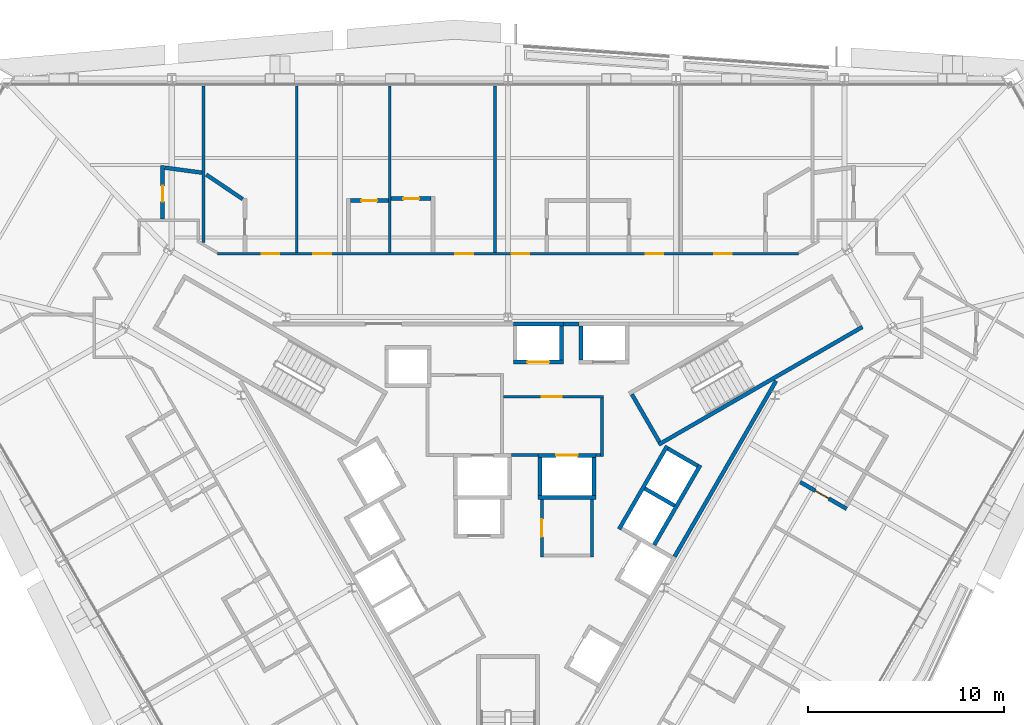
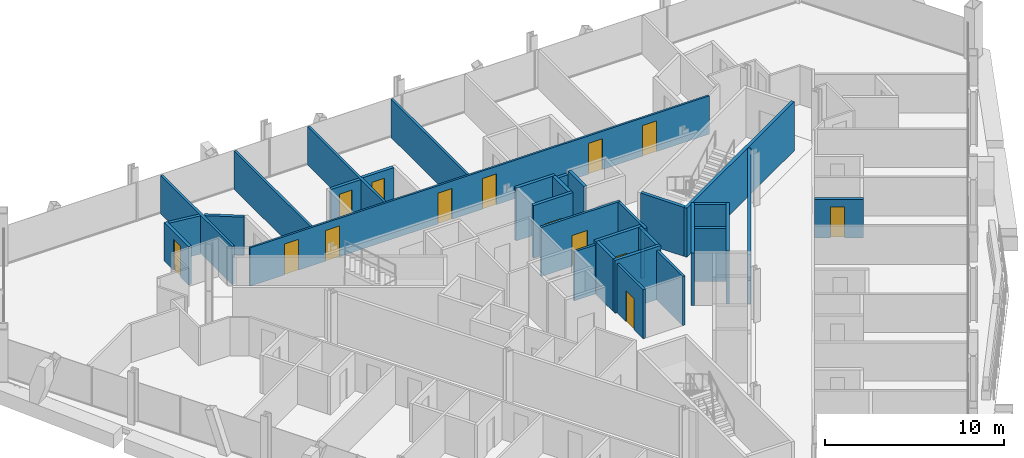
# One storey, part 16 of 20: 33 walls, 14 doors, 14 openings.
"""IFC4 building model written with IfcOpenShell, lengths in metres."""

from ifc_helpers import new_model, si_unit, direction, frame, frame_2d, origin, place, context, subcontext, project, spatial, rectangle, extrude, material, layer, layer_set, type_object, element, fill, save


model = new_model("IFC4")

# Units and contexts
model_context = context("Model", 3, precision=1e-05, world=origin(), true_north=direction((0.0, 1.0)))
body_context = subcontext(model_context, "Body", "Model", "MODEL_VIEW")
ifc_project = project(units=[si_unit("LENGTHUNIT", "METRE"), si_unit("AREAUNIT", "SQUARE_METRE"), si_unit("VOLUMEUNIT", "CUBIC_METRE"), si_unit("PLANEANGLEUNIT", "RADIAN"), si_unit("MASSUNIT", "GRAM", prefix="KILO")], contexts=[model_context])

# Site, building, storey
site_placement = place(None, origin())
site = spatial("IfcSite", under=ifc_project, at=site_placement, CompositionType="ELEMENT")
building_placement = place(site_placement, origin())
building = spatial("IfcBuilding", under=site, at=building_placement, Name="Verrane Prism Tower", CompositionType="ELEMENT")
storey_placement = place(building_placement, frame((0.0, 0.0, 69.199951171875)))
storey = spatial("IfcBuildingStorey", under=building, at=storey_placement, Name="L15", CompositionType="ELEMENT", Elevation=69.199951171875)

# Walls
ifc_material_1 = material(Name="Gypsum board partition", Category="other")
ifc_layer_1 = layer(ifc_material_1, 0.199951171875)
ifc_layer_set_1 = layer_set([ifc_layer_1], Name="CW-200 core boundary wall 2 h")
wall_type_1 = type_object("IfcWallType", Name="CW-200 core boundary wall 2 h", PredefinedType="PARTITIONING", material=ifc_layer_set_1)
wall_1_placement = place(storey_placement, frame((2.81689453125, 8.860107421875, 0.0), z_axis=(0.0, 0.0, 1.0), x_axis=(1.0, 0.0, 0.0)))
element("IfcWall", 1, at=wall_1_placement, inside=storey, type_object=wall_type_1, Name="Core boundary wall CW3-004", PredefinedType="PARTITIONING", context=body_context, shape_type="SweptSolid", body=[
    extrude(rectangle(XDim=0.80615234375, YDim=0.199951171875, at=frame_2d((0.403076171875, 0.0))), origin(), (0.0, 0.0, 1.0), 3.35009765625),
])
wall_2_placement = place(storey_placement, frame((8.491943359375, -3.011962890625, 0.0), z_axis=(0.0, 0.0, 1.0), x_axis=(0.499972957231, 0.866041016371, 0.0)))
element("IfcWall", 2, at=wall_2_placement, inside=storey, type_object=wall_type_1, Name="Core boundary wall CW3-007", PredefinedType="PARTITIONING", context=body_context, shape_type="SweptSolid", body=[
    extrude(rectangle(XDim=10.3486328125, YDim=0.199951171875, at=frame_2d((5.17431640625, 0.0))), origin(), (0.0, 0.0, 1.0), 3.35009765625),
])
ifc_material_2 = material(Name="Concrete C40/50", Category="concrete")
ifc_layer_2 = layer(ifc_material_2, 0.199951171875)
ifc_layer_set_2 = layer_set([ifc_layer_2], Name="CW-200 stair core wall concrete C40/50 3 h")
wall_type_2 = type_object("IfcWallType", Name="CW-200 stair core wall concrete C40/50 3 h", PredefinedType="PARTITIONING", material=ifc_layer_set_2)
wall_3_placement = place(storey_placement, frame((7.67822265625, 2.700927734375, 0.0), z_axis=(0.0, 0.0, 1.0), x_axis=(0.866026010844, 0.49999894854, 0.0)))
element("IfcWall", 3, at=wall_3_placement, inside=storey, type_object=wall_type_2, Name="Stair 1 enclosure wall", PredefinedType="PARTITIONING", context=body_context, shape_type="SweptSolid", body=[
    extrude(rectangle(XDim=12.0, YDim=0.199951171875, at=frame_2d((6.0, 0.0))), origin(), (0.0, 0.0, 1.0), 3.35009765625),
])
wall_4_placement = place(storey_placement, frame((7.71484375, 2.837646484375, 0.0), z_axis=(0.0, 0.0, 1.0), x_axis=(-0.500049511043, 0.865996816683, 0.0)))
element("IfcWall", 4, at=wall_4_placement, inside=storey, type_object=wall_type_2, Name="Stair 1 enclosure wall", PredefinedType="PARTITIONING", context=body_context, shape_type="SweptSolid", body=[
    extrude(rectangle(XDim=2.800048828125, YDim=0.199951171875, at=frame_2d((1.39990234375, 0.0))), origin(), (0.0, 0.0, 1.0), 3.35009765625),
])
ifc_material_3 = material(Name="Gypsum board shaft wall assembly", Category="other")
ifc_layer_3 = layer(ifc_material_3, 0.199951171875)
ifc_layer_set_3 = layer_set([ifc_layer_3], Name="HW-200 lift shaft wall 2 h")
wall_type_3 = type_object("IfcWallType", Name="HW-200 lift shaft wall 2 h", PredefinedType="PARTITIONING", material=ifc_layer_set_3)
wall_5_placement = place(storey_placement, frame((1.52490234375, 0.0, 0.0), z_axis=(0.0, 0.0, 1.0), x_axis=(1.0, 0.0, 0.0)))
element("IfcWall", 5, at=wall_5_placement, inside=storey, type_object=wall_type_3, Name="Lift shaft wall", PredefinedType="PARTITIONING", context=body_context, shape_type="SweptSolid", body=[
    extrude(rectangle(XDim=2.9501953125, YDim=0.199951171875, at=frame_2d((1.47509765625, 0.0))), origin(), (0.0, 0.0, 1.0), 3.60009765625),
])

# Wall, opening, door
wall_6_placement = place(storey_placement, frame((1.52490234375, 2.14990234375, 0.0), z_axis=(0.0, 0.0, 1.0), x_axis=(1.0, 0.0, 0.0)))
wall_6 = element("IfcWall", 6, at=wall_6_placement, inside=storey, type_object=wall_type_3, Name="Lift shaft wall", PredefinedType="PARTITIONING", context=body_context, shape_type="SweptSolid", body=[
    extrude(rectangle(XDim=2.9501953125, YDim=0.199951171875, at=frame_2d((1.47509765625, 0.0))), origin(), (0.0, 0.0, 1.0), 3.60009765625),
])
opening_1_placement = place(wall_6_placement, frame((0.925048828125, 0.0, 0.0)))
opening_1 = element("IfcOpeningElement", 7, at=opening_1_placement, cuts=wall_6, Name="Opening D14509", PredefinedType="OPENING", context=body_context, shape_type="SweptSolid", body=[
    extrude(rectangle(XDim=1.10009765625, YDim=2.10009765625, at=frame_2d((0.550048828125, 1.050048828125))), frame((0.0, 0.10986328125, 0.0), z_axis=(0.0, -1.0, 0.0), x_axis=(1.0, 0.0, 0.0)), (0.0, 0.0, 1.0), 0.219970703125),
])
ifc_material_4 = material(Name="Stainless steel sliding landing door", Category="steel")
door_type_1 = type_object("IfcDoorType", Name="LD-1100x2100 lift landing door FD90 sliding", OperationType="NOTDEFINED", PredefinedType="DOOR", material=ifc_material_4)
door_1_placement = place(opening_1_placement, origin())
door_1 = element("IfcDoor", 8, at=door_1_placement, inside=storey, type_object=door_type_1, Name="Fire service lift 2 landing door", OperationType="SLIDING_TO_RIGHT", OverallHeight=2.10009765625, OverallWidth=1.10009765625, PredefinedType="DOOR", context=body_context, shape_type="SweptSolid", body=[
    extrude(rectangle(XDim=1.10009765625, YDim=2.10009765625, at=frame_2d((0.550048828125, 1.050048828125))), frame((0.0, 0.02490234375, 0.0), z_axis=(0.0, -1.0, 0.0), x_axis=(1.0, 0.0, 0.0)), (0.0, 0.0, 1.0), 0.050048828125),
])
fill(opening_1, door_1)

wall_7_placement = place(storey_placement, frame((0.264892578125, 6.909912109375, 0.0), z_axis=(0.0, 0.0, 1.0), x_axis=(1.0, 0.0, 0.0)))
wall_7 = element("IfcWall", 9, at=wall_7_placement, inside=storey, type_object=wall_type_3, Name="Lift shaft wall", PredefinedType="PARTITIONING", context=body_context, shape_type="SweptSolid", body=[
    extrude(rectangle(XDim=2.550048828125, YDim=0.199951171875, at=frame_2d((1.27490234375, 0.0))), origin(), (0.0, 0.0, 1.0), 3.60009765625),
])
opening_2_placement = place(wall_7_placement, frame((0.72509765625, 0.0, 0.0)))
opening_2 = element("IfcOpeningElement", 10, at=opening_2_placement, cuts=wall_7, Name="Opening D14503", PredefinedType="OPENING", context=body_context, shape_type="SweptSolid", body=[
    extrude(rectangle(XDim=1.10009765625, YDim=2.10009765625, at=frame_2d((0.550048828125, 1.050048828125))), frame((0.0, 0.10986328125, 0.0), z_axis=(0.0, -1.0, 0.0), x_axis=(1.0, 0.0, 0.0)), (0.0, 0.0, 1.0), 0.219970703125),
])
door_2_placement = place(opening_2_placement, origin())
door_2 = element("IfcDoor", 11, at=door_2_placement, inside=storey, type_object=door_type_1, Name="Bank A lift 1 landing door", OperationType="SLIDING_TO_LEFT", OverallHeight=2.10009765625, OverallWidth=1.10009765625, PredefinedType="DOOR", context=body_context, shape_type="SweptSolid", body=[
    extrude(rectangle(XDim=1.10009765625, YDim=2.10009765625, at=frame_2d((0.550048828125, 1.050048828125))), frame((0.0, 0.02490234375, 0.0), z_axis=(0.0, -1.0, 0.0), x_axis=(1.0, 0.0, 0.0)), (0.0, 0.0, 1.0), 0.050048828125),
])
fill(opening_2, door_2)

# Walls
wall_8_placement = place(storey_placement, frame((0.264892578125, 8.860107421875, 0.0), z_axis=(0.0, 0.0, 1.0), x_axis=(1.0, 0.0, 0.0)))
element("IfcWall", 12, at=wall_8_placement, inside=storey, type_object=wall_type_3, Name="Lift shaft wall", PredefinedType="PARTITIONING", context=body_context, shape_type="SweptSolid", body=[
    extrude(rectangle(XDim=2.550048828125, YDim=0.199951171875, at=frame_2d((1.27490234375, 0.0))), origin(), (0.0, 0.0, 1.0), 3.60009765625),
])
wall_9_placement = place(storey_placement, frame((7.451171875, -2.4140625, 0.0), z_axis=(0.0, 0.0, 1.0), x_axis=(0.500016218704, 0.866016039709, 0.0)))
element("IfcWall", 13, at=wall_9_placement, inside=storey, type_object=wall_type_3, Name="Lift shaft wall", PredefinedType="PARTITIONING", context=body_context, shape_type="SweptSolid", body=[
    extrude(rectangle(XDim=4.699951171875, YDim=0.199951171875, at=frame_2d((2.35009765625, 0.0))), origin(), (0.0, 0.0, 1.0), 3.60009765625),
])
wall_10_placement = place(storey_placement, frame((5.66259765625, -1.6123046875, 0.0), z_axis=(0.0, 0.0, 1.0), x_axis=(0.49998122708, 0.866036242063, 0.0)))
element("IfcWall", 14, at=wall_10_placement, inside=storey, type_object=wall_type_3, Name="Lift shaft wall", PredefinedType="PARTITIONING", context=body_context, shape_type="SweptSolid", body=[
    extrude(rectangle(XDim=4.900146484375, YDim=0.199951171875, at=frame_2d((2.4501953125, 0.0))), origin(), (0.0, 0.0, 1.0), 3.60009765625),
])
wall_11_placement = place(storey_placement, frame((4.375, 0.10009765625, 0.0), z_axis=(0.0, 0.0, 1.0), x_axis=(0.0, 1.0, 0.0)))
element("IfcWall", 15, at=wall_11_placement, inside=storey, type_object=wall_type_3, Name="Lift shaft wall", PredefinedType="PARTITIONING", context=body_context, shape_type="SweptSolid", body=[
    extrude(rectangle(XDim=1.949951171875, YDim=0.199951171875, at=frame_2d((0.97509765625, 0.0))), origin(), (0.0, 0.0, 1.0), 3.60009765625),
])
for number, where, z_axis, x_axis, name in (
    (16, (3.72509765625, 7.010009765625, 0.0), (0.0, 0.0, 1.0), (0.0, 1.0, 0.0), "Lift shaft wall"),
    (17, (2.715087890625, 7.010009765625, 0.0), (0.0, 0.0, 1.0), (0.0, 1.0, 0.0), "Lift shaft wall"),
):
    element("IfcWall", number, at=place(storey_placement, frame(where, z_axis=z_axis, x_axis=x_axis)), inside=storey, type_object=wall_type_3, Name=name, PredefinedType="PARTITIONING", context=body_context, shape_type="SweptSolid", body=[
        extrude(rectangle(XDim=1.75, YDim=0.199951171875, at=frame_2d((0.875, 0.0))), origin(), (0.0, 0.0, 1.0), 3.60009765625),
    ])
wall_12_placement = place(storey_placement, frame((1.625, 0.10009765625, 0.0), z_axis=(0.0, 0.0, 1.0), x_axis=(0.0, 1.0, 0.0)))
element("IfcWall", 18, at=wall_12_placement, inside=storey, type_object=wall_type_3, Name="Lift shaft wall", PredefinedType="PARTITIONING", context=body_context, shape_type="SweptSolid", body=[
    extrude(rectangle(XDim=1.949951171875, YDim=0.199951171875, at=frame_2d((0.97509765625, 0.0))), origin(), (0.0, 0.0, 1.0), 3.60009765625),
])
wall_13_placement = place(storey_placement, frame((9.66455078125, 1.61962890625, 0.0), z_axis=(0.0, 0.0, 1.0), x_axis=(-0.866002029911, 0.500040482552, 0.0)))
element("IfcWall", 19, at=wall_13_placement, inside=storey, type_object=wall_type_3, Name="Lift shaft wall", PredefinedType="PARTITIONING", context=body_context, shape_type="SweptSolid", body=[
    extrude(rectangle(XDim=1.749755859375, YDim=0.199951171875, at=frame_2d((0.875, 0.0))), origin(), (0.0, 0.0, 1.0), 3.60009765625),
])
wall_14_placement = place(storey_placement, frame((8.48974609375, -0.41552734375, 0.0), z_axis=(0.0, 0.0, 1.0), x_axis=(-0.866036909293, 0.499980071345, 0.0)))
element("IfcWall", 20, at=wall_14_placement, inside=storey, type_object=wall_type_3, Name="Lift shaft wall", PredefinedType="PARTITIONING", context=body_context, shape_type="SweptSolid", body=[
    extrude(rectangle(XDim=1.75, YDim=0.199951171875, at=frame_2d((0.875, 0.0))), origin(), (0.0, 0.0, 1.0), 3.60009765625),
])

# Wall, opening, door
ifc_material_5 = material(Name="Gypsum board partition", Category="other")
ifc_layer_4 = layer(ifc_material_5, 0.14990234375)
ifc_layer_set_4 = layer_set([ifc_layer_4], Name="LF-150 firefighting lobby wall 1 h")
wall_type_4 = type_object("IfcWallType", Name="LF-150 firefighting lobby wall 1 h", PredefinedType="PARTITIONING", material=ifc_layer_set_4)
wall_15_placement = place(storey_placement, frame((-0.2451171875, 5.139892578125, 0.0), z_axis=(0.0, 0.0, 1.0), x_axis=(1.0, 0.0, 0.0)))
wall_15 = element("IfcWall", 21, at=wall_15_placement, inside=storey, type_object=wall_type_4, Name="Firefighting lobby wall LF1-005", PredefinedType="PARTITIONING", context=body_context, shape_type="SweptSolid", body=[
    extrude(rectangle(XDim=5.110107421875, YDim=0.14990234375, at=frame_2d((2.55517578125, 0.0))), origin(), (0.0, 0.0, 1.0), 3.35009765625),
])
opening_3_placement = place(wall_15_placement, frame((1.97509765625, 0.0, 0.0)))
opening_3 = element("IfcOpeningElement", 22, at=opening_3_placement, cuts=wall_15, Name="Opening D14516", PredefinedType="OPENING", context=body_context, shape_type="SweptSolid", body=[
    extrude(rectangle(XDim=1.0, YDim=2.10009765625, at=frame_2d((0.5, 1.050048828125))), frame((0.0, 0.0849609375, 0.0), z_axis=(0.0, -1.0, 0.0), x_axis=(1.0, 0.0, 0.0)), (0.0, 0.0, 1.0), 0.169921875),
])
ifc_material_6 = material(Name="Timber veneered door leaf", Category="wood")
door_type_2 = type_object("IfcDoorType", Name="DR-1000x2100 FD60 single leaf firefighting lobby", OperationType="NOTDEFINED", PredefinedType="DOOR", material=ifc_material_6)
door_3_placement = place(opening_3_placement, origin())
door_3 = element("IfcDoor", 23, at=door_3_placement, inside=storey, type_object=door_type_2, Name="Firefighting lobby door D14516", OperationType="SINGLE_SWING_RIGHT", OverallHeight=2.10009765625, OverallWidth=1.0, PredefinedType="DOOR", context=body_context, shape_type="SweptSolid", body=[
    extrude(rectangle(XDim=1.0, YDim=2.10009765625, at=frame_2d((0.5, 1.050048828125))), frame((0.0, 0.02490234375, 0.0), z_axis=(0.0, -1.0, 0.0), x_axis=(1.0, 0.0, 0.0)), (0.0, 0.0, 1.0), 0.050048828125),
])
fill(opening_3, door_3)

# Walls
wall_16_placement = place(storey_placement, frame((0.1669921875, 2.159912109375, 0.0), z_axis=(0.0, 0.0, 1.0), x_axis=(1.0, 0.0, 0.0)))
element("IfcWall", 24, at=wall_16_placement, inside=storey, type_object=wall_type_4, Name="Firefighting lobby wall LF1-006", PredefinedType="PARTITIONING", context=body_context, shape_type="SweptSolid", body=[
    extrude(rectangle(XDim=1.35595703125, YDim=0.14990234375, at=frame_2d((0.677978515625, 0.0))), origin(), (0.0, 0.0, 1.0), 3.35009765625),
])
wall_17_placement = place(storey_placement, frame((4.47705078125, 2.159912109375, 0.0), z_axis=(0.0, 0.0, 1.0), x_axis=(1.0, 0.0, 0.0)))
element("IfcWall", 25, at=wall_17_placement, inside=storey, type_object=wall_type_4, Name="Firefighting lobby wall LF1-007", PredefinedType="PARTITIONING", context=body_context, shape_type="SweptSolid", body=[
    extrude(rectangle(XDim=0.238037109375, YDim=0.14990234375, at=frame_2d((0.119140625, 0.0))), origin(), (0.0, 0.0, 1.0), 3.35009765625),
])
wall_18_placement = place(storey_placement, frame((4.7900390625, 2.0849609375, 0.0), z_axis=(0.0, 0.0, 1.0), x_axis=(0.0, 1.0, 0.0)))
element("IfcWall", 26, at=wall_18_placement, inside=storey, type_object=wall_type_4, Name="Firefighting lobby wall LF1-008", PredefinedType="PARTITIONING", context=body_context, shape_type="SweptSolid", body=[
    extrude(rectangle(XDim=2.97998046875, YDim=0.14990234375, at=frame_2d((1.489990234375, 0.0))), origin(), (0.0, 0.0, 1.0), 3.35009765625),
])

# Wall, openings, doors
ifc_material_7 = material(Name="Gypsum board partition", Category="other")
ifc_layer_5 = layer(ifc_material_7, 0.125)
ifc_layer_set_5 = layer_set([ifc_layer_5], Name="PW-125 corridor wall 1 h")
wall_type_5 = type_object("IfcWallType", Name="PW-125 corridor wall 1 h", PredefinedType="PARTITIONING", material=ifc_layer_set_5)
wall_19_placement = place(storey_placement, frame((-14.810546875, 12.44091796875, 0.0), z_axis=(0.0, 0.0, 1.0), x_axis=(1.0, 0.0, 0.0)))
wall_19 = element("IfcWall", 27, at=wall_19_placement, inside=storey, type_object=wall_type_5, Name="Corridor wall 027", PredefinedType="PARTITIONING", context=body_context, shape_type="SweptSolid", body=[
    extrude(rectangle(XDim=29.62109375, YDim=0.125, at=frame_2d((14.810546875, 0.0))), origin(), (0.0, 0.0, 1.0), 2.613037109375),
])
opening_4_placement = place(wall_19_placement, frame((25.326416015625, 0.0, 0.0)))
opening_4 = element("IfcOpeningElement", 28, at=opening_4_placement, cuts=wall_19, Name="Opening D14018", PredefinedType="OPENING", context=body_context, shape_type="SweptSolid", body=[
    extrude(rectangle(XDim=0.89990234375, YDim=2.10009765625, at=frame_2d((0.449951171875, 1.050048828125))), frame((0.0, 0.072509765625, 0.0), z_axis=(0.0, -1.0, 0.0), x_axis=(1.0, 0.0, 0.0)), (0.0, 0.0, 1.0), 0.14501953125),
])
opening_5_placement = place(wall_19_placement, frame((21.83349609375, 0.0, 0.0)))
opening_5 = element("IfcOpeningElement", 29, at=opening_5_placement, cuts=wall_19, Name="Opening D14020", PredefinedType="OPENING", context=body_context, shape_type="SweptSolid", body=[
    extrude(rectangle(XDim=0.89990234375, YDim=2.10009765625, at=frame_2d((0.449951171875, 1.050048828125))), frame((0.0, 0.072509765625, 0.0), z_axis=(0.0, -1.0, 0.0), x_axis=(1.0, 0.0, 0.0)), (0.0, 0.0, 1.0), 0.14501953125),
])
opening_6_placement = place(wall_19_placement, frame((14.990478515625, 0.0, 0.0)))
opening_6 = element("IfcOpeningElement", 30, at=opening_6_placement, cuts=wall_19, Name="Opening D14022", PredefinedType="OPENING", context=body_context, shape_type="SweptSolid", body=[
    extrude(rectangle(XDim=0.89990234375, YDim=2.10009765625, at=frame_2d((0.449951171875, 1.050048828125))), frame((0.0, 0.072509765625, 0.0), z_axis=(0.0, -1.0, 0.0), x_axis=(1.0, 0.0, 0.0)), (0.0, 0.0, 1.0), 0.14501953125),
])
opening_7_placement = place(wall_19_placement, frame((12.12841796875, 0.0, 0.0)))
opening_7 = element("IfcOpeningElement", 31, at=opening_7_placement, cuts=wall_19, Name="Opening D14024", PredefinedType="OPENING", context=body_context, shape_type="SweptSolid", body=[
    extrude(rectangle(XDim=0.89990234375, YDim=2.10009765625, at=frame_2d((0.449951171875, 1.050048828125))), frame((0.0, 0.072509765625, 0.0), z_axis=(0.0, -1.0, 0.0), x_axis=(1.0, 0.0, 0.0)), (0.0, 0.0, 1.0), 0.14501953125),
])
opening_8_placement = place(wall_19_placement, frame((4.885498046875, 0.0, 0.0)))
opening_8 = element("IfcOpeningElement", 32, at=opening_8_placement, cuts=wall_19, Name="Opening D14026", PredefinedType="OPENING", context=body_context, shape_type="SweptSolid", body=[
    extrude(rectangle(XDim=0.89990234375, YDim=2.10009765625, at=frame_2d((0.449951171875, 1.050048828125))), frame((0.0, 0.072509765625, 0.0), z_axis=(0.0, -1.0, 0.0), x_axis=(1.0, 0.0, 0.0)), (0.0, 0.0, 1.0), 0.14501953125),
])
opening_9_placement = place(wall_19_placement, frame((2.241455078125, 0.0, 0.0)))
opening_9 = element("IfcOpeningElement", 33, at=opening_9_placement, cuts=wall_19, Name="Opening D14028", PredefinedType="OPENING", context=body_context, shape_type="SweptSolid", body=[
    extrude(rectangle(XDim=0.89990234375, YDim=2.10009765625, at=frame_2d((0.449951171875, 1.050048828125))), frame((0.0, 0.072509765625, 0.0), z_axis=(0.0, -1.0, 0.0), x_axis=(1.0, 0.0, 0.0)), (0.0, 0.0, 1.0), 0.14501953125),
])
ifc_material_8 = material(Name="Timber veneered door leaf", Category="wood")
door_type_3 = type_object("IfcDoorType", Name="DR-900x2100 FD20 single leaf unit", OperationType="NOTDEFINED", PredefinedType="DOOR", material=ifc_material_8)
door_4_placement = place(opening_4_placement, origin())
door_4 = element("IfcDoor", 34, at=door_4_placement, inside=storey, type_object=door_type_3, Name="Junior Suite door", OperationType="SINGLE_SWING_RIGHT", OverallHeight=2.10009765625, OverallWidth=0.89990234375, PredefinedType="DOOR", context=body_context, shape_type="SweptSolid", body=[
    extrude(rectangle(XDim=0.89990234375, YDim=2.10009765625, at=frame_2d((0.449951171875, 1.050048828125))), frame((0.0, 0.02490234375, 0.0), z_axis=(0.0, -1.0, 0.0), x_axis=(1.0, 0.0, 0.0)), (0.0, 0.0, 1.0), 0.050048828125),
])
fill(opening_4, door_4)
door_5_placement = place(opening_5_placement, origin())
door_5 = element("IfcDoor", 35, at=door_5_placement, inside=storey, type_object=door_type_3, Name="Guest Room door", OperationType="SINGLE_SWING_RIGHT", OverallHeight=2.10009765625, OverallWidth=0.89990234375, PredefinedType="DOOR", context=body_context, shape_type="SweptSolid", body=[
    extrude(rectangle(XDim=0.89990234375, YDim=2.10009765625, at=frame_2d((0.449951171875, 1.050048828125))), frame((0.0, 0.02490234375, 0.0), z_axis=(0.0, -1.0, 0.0), x_axis=(1.0, 0.0, 0.0)), (0.0, 0.0, 1.0), 0.050048828125),
])
fill(opening_5, door_5)
door_6_placement = place(opening_6_placement, origin())
door_6 = element("IfcDoor", 36, at=door_6_placement, inside=storey, type_object=door_type_3, Name="Guest Room door", OperationType="SINGLE_SWING_RIGHT", OverallHeight=2.10009765625, OverallWidth=0.89990234375, PredefinedType="DOOR", context=body_context, shape_type="SweptSolid", body=[
    extrude(rectangle(XDim=0.89990234375, YDim=2.10009765625, at=frame_2d((0.449951171875, 1.050048828125))), frame((0.0, 0.02490234375, 0.0), z_axis=(0.0, -1.0, 0.0), x_axis=(1.0, 0.0, 0.0)), (0.0, 0.0, 1.0), 0.050048828125),
])
fill(opening_6, door_6)
door_7_placement = place(opening_7_placement, origin())
door_7 = element("IfcDoor", 37, at=door_7_placement, inside=storey, type_object=door_type_3, Name="Guest Room door", OperationType="SINGLE_SWING_RIGHT", OverallHeight=2.10009765625, OverallWidth=0.89990234375, PredefinedType="DOOR", context=body_context, shape_type="SweptSolid", body=[
    extrude(rectangle(XDim=0.89990234375, YDim=2.10009765625, at=frame_2d((0.449951171875, 1.050048828125))), frame((0.0, 0.02490234375, 0.0), z_axis=(0.0, -1.0, 0.0), x_axis=(1.0, 0.0, 0.0)), (0.0, 0.0, 1.0), 0.050048828125),
])
fill(opening_7, door_7)
door_8_placement = place(opening_8_placement, origin())
door_8 = element("IfcDoor", 38, at=door_8_placement, inside=storey, type_object=door_type_3, Name="Guest Room door", OperationType="SINGLE_SWING_RIGHT", OverallHeight=2.10009765625, OverallWidth=0.89990234375, PredefinedType="DOOR", context=body_context, shape_type="SweptSolid", body=[
    extrude(rectangle(XDim=0.89990234375, YDim=2.10009765625, at=frame_2d((0.449951171875, 1.050048828125))), frame((0.0, 0.02490234375, 0.0), z_axis=(0.0, -1.0, 0.0), x_axis=(1.0, 0.0, 0.0)), (0.0, 0.0, 1.0), 0.050048828125),
])
fill(opening_8, door_8)
door_9_placement = place(opening_9_placement, origin())
door_9 = element("IfcDoor", 39, at=door_9_placement, inside=storey, type_object=door_type_3, Name="Guest Room door", OperationType="SINGLE_SWING_RIGHT", OverallHeight=2.10009765625, OverallWidth=0.89990234375, PredefinedType="DOOR", context=body_context, shape_type="SweptSolid", body=[
    extrude(rectangle(XDim=0.89990234375, YDim=2.10009765625, at=frame_2d((0.449951171875, 1.050048828125))), frame((0.0, 0.02490234375, 0.0), z_axis=(0.0, -1.0, 0.0), x_axis=(1.0, 0.0, 0.0)), (0.0, 0.0, 1.0), 0.050048828125),
])
fill(opening_9, door_9)

# Walls
ifc_material_9 = material(Name="Gypsum board partition", Category="other")
ifc_layer_6 = layer(ifc_material_9, 0.14990234375)
ifc_layer_set_6 = layer_set([ifc_layer_6], Name="PW-150 demising wall 1 h")
wall_type_6 = type_object("IfcWallType", Name="PW-150 demising wall 1 h", PredefinedType="PARTITIONING", material=ifc_layer_set_6)
wall_20_placement = place(storey_placement, frame((-15.51904296875, 13.00146484375, 0.0), z_axis=(0.0, 0.0, 1.0), x_axis=(0.0, 1.0, 0.0)))
element("IfcWall", 40, at=wall_20_placement, inside=storey, type_object=wall_type_6, Name="Demising wall 025", PredefinedType="PARTITIONING", context=body_context, shape_type="SweptSolid", body=[
    extrude(rectangle(XDim=7.99365234375, YDim=0.14990234375, at=frame_2d((3.996826171875, 0.0))), origin(), (0.0, 0.0, 1.0), 2.613037109375),
])
for number, where, z_axis, x_axis, name in (
    (41, (-10.77490234375, 12.50341796875, 0.0), (0.0, 0.0, 1.0), (0.0, 1.0, 0.0), "Demising wall 034"),
    (42, (-6.031982421875, 12.50341796875, 0.0), (0.0, 0.0, 1.0), (0.0, 1.0, 0.0), "Demising wall 042"),
    (43, (-0.669921875, 12.50341796875, 0.0), (0.0, 0.0, 1.0), (0.0, 1.0, 0.0), "Demising wall 048"),
):
    element("IfcWall", number, at=place(storey_placement, frame(where, z_axis=z_axis, x_axis=x_axis)), inside=storey, type_object=wall_type_6, Name=name, PredefinedType="PARTITIONING", context=body_context, shape_type="SweptSolid", body=[
        extrude(rectangle(XDim=8.49169921875, YDim=0.14990234375, at=frame_2d((4.245849609375, 0.0))), origin(), (0.0, 0.0, 1.0), 2.613037109375),
    ])

# Wall, opening, door
ifc_material_10 = material(Name="Gypsum board partition", Category="other")
ifc_layer_7 = layer(ifc_material_10, 0.199951171875)
ifc_layer_set_7 = layer_set([ifc_layer_7], Name="PW-200 plumbing wall")
wall_type_7 = type_object("IfcWallType", Name="PW-200 plumbing wall", PredefinedType="PARTITIONING", material=ifc_layer_set_7)
wall_21_placement = place(storey_placement, frame((-17.618896484375, 16.93701171875, 0.0), z_axis=(0.0, 0.0, 1.0), x_axis=(0.0, -1.0, 0.0)))
wall_21 = element("IfcWall", 44, at=wall_21_placement, inside=storey, type_object=wall_type_7, Name="Plumbing wall 019", PredefinedType="PARTITIONING", context=body_context, shape_type="SweptSolid", body=[
    extrude(rectangle(XDim=2.737548828125, YDim=0.199951171875, at=frame_2d((1.36865234375, 0.0))), origin(), (0.0, 0.0, 1.0), 2.613037109375),
])
opening_10_placement = place(wall_21_placement, frame((1.050048828125, 0.0, 0.0)))
opening_10 = element("IfcOpeningElement", 45, at=opening_10_placement, cuts=wall_21, Name="Opening D14031", PredefinedType="OPENING", context=body_context, shape_type="SweptSolid", body=[
    extrude(rectangle(XDim=0.800048828125, YDim=2.10009765625, at=frame_2d((0.39990234375, 1.050048828125))), frame((0.0, 0.10986328125, 0.0), z_axis=(0.0, -1.0, 0.0), x_axis=(1.0, 0.0, 0.0)), (0.0, 0.0, 1.0), 0.219970703125),
])
ifc_material_11 = material(Name="Timber veneered door leaf", Category="wood")
door_type_4 = type_object("IfcDoorType", Name="DR-800x2100 single leaf bath", OperationType="NOTDEFINED", PredefinedType="DOOR", material=ifc_material_11)
door_10_placement = place(opening_10_placement, origin())
door_10 = element("IfcDoor", 46, at=door_10_placement, inside=storey, type_object=door_type_4, Name="En-Suite door", OperationType="SINGLE_SWING_RIGHT", OverallHeight=2.10009765625, OverallWidth=0.800048828125, PredefinedType="DOOR", context=body_context, shape_type="SweptSolid", body=[
    extrude(rectangle(XDim=0.800048828125, YDim=2.10009765625, at=frame_2d((0.39990234375, 1.050048828125))), frame((0.0, 0.02490234375, 0.0), z_axis=(0.0, -1.0, 0.0), x_axis=(1.0, 0.0, 0.0)), (0.0, 0.0, 1.0), 0.050048828125),
])
fill(opening_10, door_10)

# Walls
wall_22_placement = place(storey_placement, frame((-17.505126953125, 16.821533203125, 0.0), z_axis=(0.0, 0.0, 1.0), x_axis=(0.990982367401, -0.133992341199, 0.0)))
element("IfcWall", 47, at=wall_22_placement, inside=storey, type_object=wall_type_7, Name="Plumbing wall 020", PredefinedType="PARTITIONING", context=body_context, shape_type="SweptSolid", body=[
    extrude(rectangle(XDim=1.9150390625, YDim=0.199951171875, at=frame_2d((0.95751953125, 0.0))), origin(), (0.0, 0.0, 1.0), 2.613037109375),
])
wall_23_placement = place(storey_placement, frame((-15.38818359375, 16.465087890625, 0.0), z_axis=(0.0, 0.0, 1.0), x_axis=(0.82987399284, -0.557950854474, 0.0)))
element("IfcWall", 48, at=wall_23_placement, inside=storey, type_object=wall_type_7, Name="Plumbing wall 026", PredefinedType="PARTITIONING", context=body_context, shape_type="SweptSolid", body=[
    extrude(rectangle(XDim=2.23291015625, YDim=0.199951171875, at=frame_2d((1.116455078125, 0.0))), origin(), (0.0, 0.0, 1.0), 2.613037109375),
])

# Wall, opening, door
wall_24_placement = place(storey_placement, frame((-6.10693359375, 15.14111328125, 0.0), z_axis=(0.0, 0.0, 1.0), x_axis=(-1.0, 0.0, 0.0)))
wall_24 = element("IfcWall", 49, at=wall_24_placement, inside=storey, type_object=wall_type_7, Name="Plumbing wall 039", PredefinedType="PARTITIONING", context=body_context, shape_type="SweptSolid", body=[
    extrude(rectangle(XDim=1.925048828125, YDim=0.199951171875, at=frame_2d((0.96240234375, 0.0))), origin(), (0.0, 0.0, 1.0), 2.613037109375),
])
opening_11_placement = place(wall_24_placement, frame((0.574951171875, 0.0, 0.0)))
opening_11 = element("IfcOpeningElement", 50, at=opening_11_placement, cuts=wall_24, Name="Opening D14027", PredefinedType="OPENING", context=body_context, shape_type="SweptSolid", body=[
    extrude(rectangle(XDim=0.800048828125, YDim=2.10009765625, at=frame_2d((0.39990234375, 1.050048828125))), frame((0.0, 0.10986328125, 0.0), z_axis=(0.0, -1.0, 0.0), x_axis=(1.0, 0.0, 0.0)), (0.0, 0.0, 1.0), 0.219970703125),
])
door_11_placement = place(opening_11_placement, origin())
door_11 = element("IfcDoor", 51, at=door_11_placement, inside=storey, type_object=door_type_4, Name="En-Suite door", OperationType="SINGLE_SWING_RIGHT", OverallHeight=2.10009765625, OverallWidth=0.800048828125, PredefinedType="DOOR", context=body_context, shape_type="SweptSolid", body=[
    extrude(rectangle(XDim=0.800048828125, YDim=2.10009765625, at=frame_2d((0.39990234375, 1.050048828125))), frame((0.0, 0.02490234375, 0.0), z_axis=(0.0, -1.0, 0.0), x_axis=(1.0, 0.0, 0.0)), (0.0, 0.0, 1.0), 0.050048828125),
])
fill(opening_11, door_11)

wall_25_placement = place(storey_placement, frame((-3.931884765625, 15.240966796875, 0.0), z_axis=(0.0, 0.0, 1.0), x_axis=(-1.0, 0.0, 0.0)))
wall_25 = element("IfcWall", 52, at=wall_25_placement, inside=storey, type_object=wall_type_7, Name="Plumbing wall 043", PredefinedType="PARTITIONING", context=body_context, shape_type="SweptSolid", body=[
    extrude(rectangle(XDim=2.025146484375, YDim=0.199951171875, at=frame_2d((1.0126953125, 0.0))), origin(), (0.0, 0.0, 1.0), 2.613037109375),
])
opening_12_placement = place(wall_25_placement, frame((0.60009765625, 0.0, 0.0)))
opening_12 = element("IfcOpeningElement", 53, at=opening_12_placement, cuts=wall_25, Name="Opening D14025", PredefinedType="OPENING", context=body_context, shape_type="SweptSolid", body=[
    extrude(rectangle(XDim=0.800048828125, YDim=2.10009765625, at=frame_2d((0.39990234375, 1.050048828125))), frame((0.0, 0.10986328125, 0.0), z_axis=(0.0, -1.0, 0.0), x_axis=(1.0, 0.0, 0.0)), (0.0, 0.0, 1.0), 0.219970703125),
])
door_12_placement = place(opening_12_placement, origin())
door_12 = element("IfcDoor", 54, at=door_12_placement, inside=storey, type_object=door_type_4, Name="En-Suite door", OperationType="SINGLE_SWING_RIGHT", OverallHeight=2.10009765625, OverallWidth=0.800048828125, PredefinedType="DOOR", context=body_context, shape_type="SweptSolid", body=[
    extrude(rectangle(XDim=0.800048828125, YDim=2.10009765625, at=frame_2d((0.39990234375, 1.050048828125))), frame((0.0, 0.02490234375, 0.0), z_axis=(0.0, -1.0, 0.0), x_axis=(1.0, 0.0, 0.0)), (0.0, 0.0, 1.0), 0.050048828125),
])
fill(opening_12, door_12)

wall_26_placement = place(storey_placement, frame((14.8984375, 0.789306640625, 0.0), z_axis=(0.0, 0.0, 1.0), x_axis=(0.866102295869, -0.499866795347, 0.0)))
wall_26 = element("IfcWall", 55, at=wall_26_placement, inside=storey, type_object=wall_type_7, Name="Plumbing wall 076", PredefinedType="PARTITIONING", context=body_context, shape_type="SweptSolid", body=[
    extrude(rectangle(XDim=2.733154296875, YDim=0.199951171875, at=frame_2d((1.36669921875, 0.0))), origin(), (0.0, 0.0, 1.0), 2.613037109375),
])
opening_13_placement = place(wall_26_placement, frame((0.882568359375, 0.0, 0.0)))
opening_13 = element("IfcOpeningElement", 56, at=opening_13_placement, cuts=wall_26, Name="Opening D14011", PredefinedType="OPENING", context=body_context, shape_type="SweptSolid", body=[
    extrude(rectangle(XDim=0.800048828125, YDim=2.10009765625, at=frame_2d((0.39990234375, 1.050048828125))), frame((0.0, 0.10986328125, 0.0), z_axis=(0.0, -1.0, 0.0), x_axis=(1.0, 0.0, 0.0)), (0.0, 0.0, 1.0), 0.219970703125),
])
door_13_placement = place(opening_13_placement, origin())
door_13 = element("IfcDoor", 57, at=door_13_placement, inside=storey, type_object=door_type_4, Name="En-Suite door", OperationType="SINGLE_SWING_LEFT", OverallHeight=2.10009765625, OverallWidth=0.800048828125, PredefinedType="DOOR", context=body_context, shape_type="SweptSolid", body=[
    extrude(rectangle(XDim=0.800048828125, YDim=2.10009765625, at=frame_2d((0.39990234375, 1.050048828125))), frame((0.0, 0.02490234375, 0.0), z_axis=(0.0, -1.0, 0.0), x_axis=(1.0, 0.0, 0.0)), (0.0, 0.0, 1.0), 0.050048828125),
])
fill(opening_13, door_13)

ifc_material_12 = material(Name="Gypsum board partition", Category="other")
ifc_layer_8 = layer(ifc_material_12, 0.14990234375)
ifc_layer_set_8 = layer_set([ifc_layer_8], Name="RS-150 riser enclosure wall 1 h")
wall_type_8 = type_object("IfcWallType", Name="RS-150 riser enclosure wall 1 h", PredefinedType="PARTITIONING", material=ifc_layer_set_8)
wall_27_placement = place(storey_placement, frame((1.72509765625, -0.10205078125, 0.0), z_axis=(0.0, 0.0, 1.0), x_axis=(0.0, -1.0, 0.0)))
wall_27 = element("IfcWall", 58, at=wall_27_placement, inside=storey, type_object=wall_type_8, Name="Riser wall RS3-007", PredefinedType="PARTITIONING", context=body_context, shape_type="SweptSolid", body=[
    extrude(rectangle(XDim=2.9228515625, YDim=0.14990234375, at=frame_2d((1.46142578125, 0.0))), origin(), (0.0, 0.0, 1.0), 3.35009765625),
])
opening_14_placement = place(wall_27_placement, frame((0.998046875, 0.0, 0.0)))
opening_14 = element("IfcOpeningElement", 59, at=opening_14_placement, cuts=wall_27, Name="Opening D14518", PredefinedType="OPENING", context=body_context, shape_type="SweptSolid", body=[
    extrude(rectangle(XDim=0.89990234375, YDim=2.10009765625, at=frame_2d((0.449951171875, 1.050048828125))), frame((0.0, 0.0849609375, 0.0), z_axis=(0.0, -1.0, 0.0), x_axis=(1.0, 0.0, 0.0)), (0.0, 0.0, 1.0), 0.169921875),
])
ifc_material_13 = material(Name="Timber veneered door leaf", Category="wood")
door_type_5 = type_object("IfcDoorType", Name="DR-900x2100 FD20 single leaf store", OperationType="NOTDEFINED", PredefinedType="DOOR", material=ifc_material_13)
door_14_placement = place(opening_14_placement, origin())
door_14 = element("IfcDoor", 60, at=door_14_placement, inside=storey, type_object=door_type_5, Name="Room door D14518", OperationType="SINGLE_SWING_LEFT", OverallHeight=2.10009765625, OverallWidth=0.89990234375, PredefinedType="DOOR", context=body_context, shape_type="SweptSolid", body=[
    extrude(rectangle(XDim=0.89990234375, YDim=2.10009765625, at=frame_2d((0.449951171875, 1.050048828125))), frame((0.0, 0.02490234375, 0.0), z_axis=(0.0, -1.0, 0.0), x_axis=(1.0, 0.0, 0.0)), (0.0, 0.0, 1.0), 0.050048828125),
])
fill(opening_14, door_14)

# Wall
wall_28_placement = place(storey_placement, frame((4.27490234375, -3.02490234375, 0.0), z_axis=(0.0, 0.0, 1.0), x_axis=(0.0, 1.0, 0.0)))
element("IfcWall", 61, at=wall_28_placement, inside=storey, type_object=wall_type_8, Name="Riser wall RS3-009", PredefinedType="PARTITIONING", context=body_context, shape_type="SweptSolid", body=[
    extrude(rectangle(XDim=2.9228515625, YDim=0.14990234375, at=frame_2d((1.46142578125, 0.0))), origin(), (0.0, 0.0, 1.0), 3.35009765625),
])

save(model, "model.ifc")
